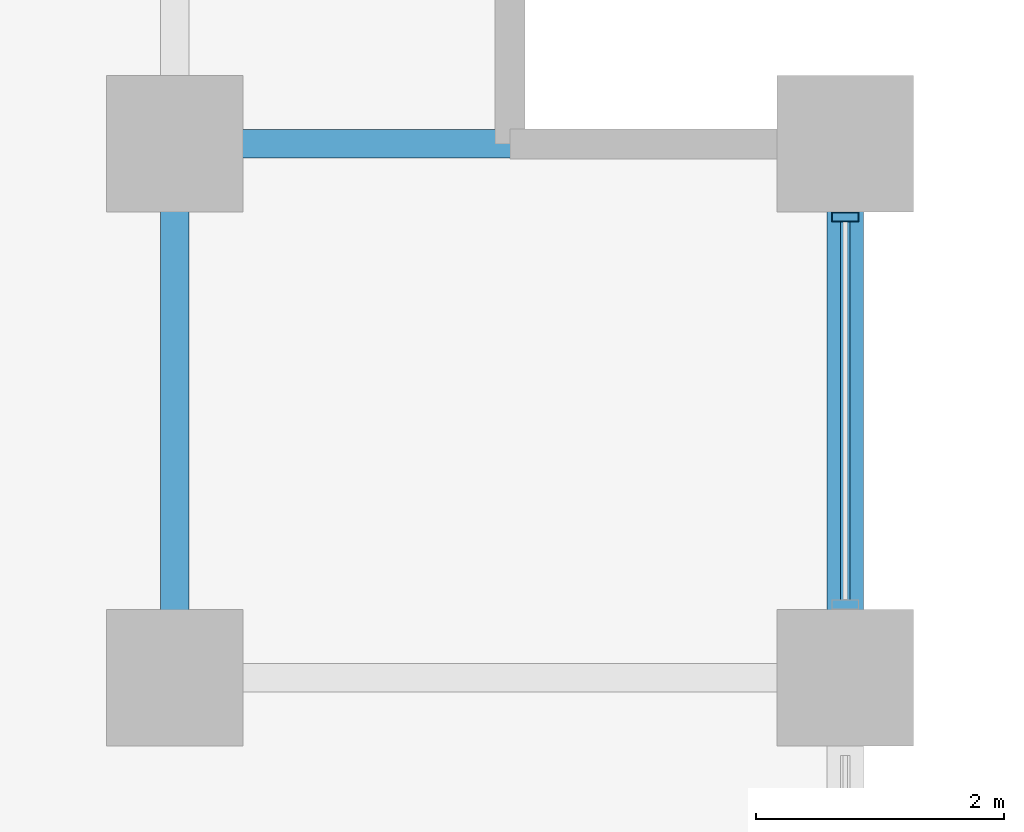
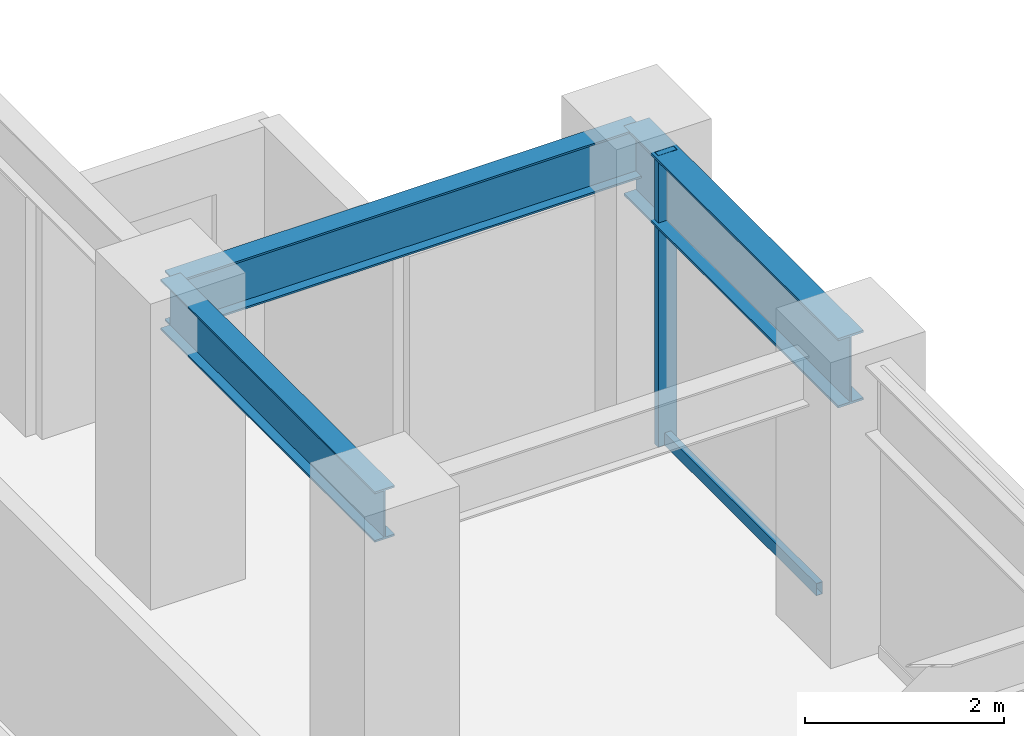
# One storey, part 17 of 26: 3 beams, 2 members, 1 element without a shape of its own.
"""IFC4 building model written with IfcOpenShell, lengths in metres."""

import ifcopenshell
import ifcopenshell.guid

model = None  # the IFC model being written
_history = None  # IfcOwnerHistory: only IFC2X3 demands one
_inside = {}  # id of a spatial element -> (the spatial element, [elements in it])
_under = {}  # id of a project, library or spatial element -> (it, [spatial elements below it])
_declared = {}  # id of a project -> (the project, [libraries it declares])
_typed = {}  # id of a type object -> (the type object, [elements of that type])
_made_of = {}  # id of a material, layer set ... -> (it, [elements and type objects made of it])


def new_model(schema):
    """Start an empty IFC model of exactly this schema.

    Asked for "IFC4X3", IfcOpenShell would pick the latest addendum, in which some entities
    have other attributes; the version numbers below select the first issue.
    IFC2X3 requires an IfcOwnerHistory on every rooted entity: one is made here for all.
    """
    global model, _history
    if schema == "IFC4X3":
        model = ifcopenshell.file(schema_version=(4, 3, 0, 0))
    else:
        model = ifcopenshell.file(schema=schema)
    _inside.clear()
    _under.clear()
    _declared.clear()
    _typed.clear()
    _made_of.clear()
    _history = None
    if model.schema == "IFC2X3":
        org = make("IfcOrganization", Name="unknown")
        user = make(
            "IfcPersonAndOrganization",
            ThePerson=make("IfcPerson", FamilyName="unknown"),
            TheOrganization=org,
        )
        app = make(
            "IfcApplication",
            ApplicationDeveloper=org,
            Version="unknown",
            ApplicationFullName="unknown",
            ApplicationIdentifier="unknown",
        )
        _history = make(
            "IfcOwnerHistory",
            OwningUser=user,
            OwningApplication=app,
            ChangeAction="ADDED",
            CreationDate=0,
        )
    return model


def make(cls, **values):
    """One entity of the class cls with the attributes given. An attribute that is None is left unset."""
    return model.create_entity(
        cls, **{name: value for name, value in values.items() if value is not None}
    )


def rooted(cls, **values):
    """An entity with a GlobalId (a new one), such as an element, a storey or a relation."""
    return make(cls, GlobalId=ifcopenshell.guid.new(), OwnerHistory=_history, **values)


def si_unit(unit_type, name, prefix=None):
    """IfcSIUnit, for example si_unit("LENGTHUNIT", "METRE", prefix="MILLI")."""
    return make("IfcSIUnit", UnitType=unit_type, Prefix=prefix, Name=name)


def assignment(units):
    """IfcUnitAssignment: the units of a project."""
    return None if units is None else make("IfcUnitAssignment", Units=units)


def point(xyz):
    """IfcCartesianPoint."""
    return None if xyz is None else make("IfcCartesianPoint", Coordinates=xyz)


def direction(xyz):
    """IfcDirection."""
    return None if xyz is None else make("IfcDirection", DirectionRatios=xyz)


def frame(location, z_axis=None, x_axis=None):
    """IfcAxis2Placement3D, a coordinate frame: its origin and axes. An axis left out is left unset."""
    return make(
        "IfcAxis2Placement3D",
        Location=point(location),
        Axis=direction(z_axis),
        RefDirection=direction(x_axis),
    )


def frame_2d(location, x_axis=None):
    """IfcAxis2Placement2D, a coordinate frame in the plane: its origin and x axis."""
    return make(
        "IfcAxis2Placement2D", Location=point(location), RefDirection=direction(x_axis)
    )


def origin():
    """The frame at (0, 0, 0) with its axes left unset."""
    return frame((0.0, 0.0, 0.0))


def origin_2d():
    """The frame at (0, 0) in the plane with its x axis left unset."""
    return frame_2d((0.0, 0.0))


def place(relative_to, where):
    """IfcLocalPlacement: puts the frame where relative to a parent placement (None: the world)."""
    return make(
        "IfcLocalPlacement", PlacementRelTo=relative_to, RelativePlacement=where
    )


def context(
    kind, dimensions, precision=None, world=None, true_north=None, identifier=None
):
    """IfcGeometricRepresentationContext, for example the 3D "Model" context."""
    return make(
        "IfcGeometricRepresentationContext",
        ContextIdentifier=identifier,
        ContextType=kind,
        CoordinateSpaceDimension=dimensions,
        Precision=precision,
        WorldCoordinateSystem=world,
        TrueNorth=true_north,
    )


def subcontext(parent, identifier, kind, view, scale=None):
    """IfcGeometricRepresentationSubContext, for example "Body" below "Model"."""
    return make(
        "IfcGeometricRepresentationSubContext",
        ContextIdentifier=identifier,
        ContextType=kind,
        ParentContext=parent,
        TargetScale=scale,
        TargetView=view,
    )


def project(units=None, contexts=None):
    """IfcProject with its units and contexts."""
    return rooted(
        "IfcProject",
        Name="project",
        RepresentationContexts=contexts,
        UnitsInContext=assignment(units),
    )


def spatial(cls, under=None, at=None, **own):
    """A site, building, storey or space (cls), placed at a placement, below another one or the project."""
    s = rooted(cls, ObjectPlacement=at, **own)
    if under is not None:
        _under.setdefault(under.id(), (under, []))[1].append(s)
    return s


def profile(cls, at=None, kind="AREA", **sizes):
    """A parametric profile (cls). Its sizes go by their IFC names, for example OverallWidth=200.0."""
    return make(cls, ProfileType=kind, Position=at, **sizes)


def hollow_rectangle(**sizes):
    """IfcRectangleHollowProfileDef."""
    return profile("IfcRectangleHollowProfileDef", **sizes)


def i_section(**sizes):
    """IfcIShapeProfileDef."""
    return profile("IfcIShapeProfileDef", **sizes)


def extrude(swept, where, along, depth):
    """IfcExtrudedAreaSolid: the profile swept, set in the frame where, extruded along a direction by depth."""
    return make(
        "IfcExtrudedAreaSolid",
        SweptArea=swept,
        Position=where,
        ExtrudedDirection=direction(along),
        Depth=depth,
    )


def shape(context_of_items, identifier, shape_type, items):
    """IfcShapeRepresentation: the items that make up one representation, for example the "Body"."""
    return make(
        "IfcShapeRepresentation",
        ContextOfItems=context_of_items,
        RepresentationIdentifier=identifier,
        RepresentationType=shape_type,
        Items=items,
    )


def material(Name=None, Category=None):
    """IfcMaterial."""
    return make("IfcMaterial", Name=Name, Category=Category)


def layer(
    of_material, thickness, ventilated=None, Name=None, Category=None, Priority=None
):
    """IfcMaterialLayer: one layer of a wall or slab, of a material (None: an air gap)."""
    return make(
        "IfcMaterialLayer",
        Material=of_material,
        LayerThickness=thickness,
        IsVentilated=ventilated,
        Name=Name,
        Category=Category,
        Priority=Priority,
    )


def layer_set(layers, Name=None):
    """IfcMaterialLayerSet."""
    return make("IfcMaterialLayerSet", MaterialLayers=layers, LayerSetName=Name)


def material_profile(
    of_material, cross_section, Name=None, Category=None, Priority=None
):
    """IfcMaterialProfile: a cross section and its material."""
    return make(
        "IfcMaterialProfile",
        Name=Name,
        Material=of_material,
        Profile=cross_section,
        Priority=Priority,
        Category=Category,
    )


def profile_set(profiles, Name=None, composite=None):
    """IfcMaterialProfileSet."""
    return make(
        "IfcMaterialProfileSet",
        Name=Name,
        MaterialProfiles=profiles,
        CompositeProfile=composite,
    )


def made_of(thing, what):
    """Note that an element or type object is made of a material, layer set ...; save() writes the relation."""
    if what is not None:
        _made_of.setdefault(what.id(), (what, []))[1].append(thing)
    return thing


def type_object(cls, material=None, **own):
    """A type object (cls), such as IfcWallType, which elements share."""
    return made_of(rooted(cls, **own), material)


def element(
    cls,
    number,
    at=None,
    inside=None,
    cuts=None,
    type_object=None,
    material=None,
    context=None,
    identifier="Body",
    shape_type=None,
    held_by="IfcProductDefinitionShape",
    body=None,
    shapes=None,
    **own,
):
    """One element of the class cls, such as IfcWall. Its Tag is "e" and its number.

    at: its placement. inside: the storey or other place that contains it. cuts: it is an
    opening in that element (IfcRelVoidsElement). A single representation is given by context,
    identifier, shape_type and body (its items); several are given by shapes. held_by: the class
    of the entity that holds the representations. save() writes the other relations.
    """
    e = rooted(cls, Tag="e%d" % number, ObjectPlacement=at, **own)
    if body is not None:
        shapes = [shape(context, identifier, shape_type, body)]
    if shapes is not None:
        e.Representation = make(held_by, Representations=shapes)
    if inside is not None:
        _inside.setdefault(inside.id(), (inside, []))[1].append(e)
    if cuts is not None:
        rooted(
            "IfcRelVoidsElement", RelatingBuildingElement=cuts, RelatedOpeningElement=e
        )
    if type_object is not None:
        _typed.setdefault(type_object.id(), (type_object, []))[1].append(e)
    return made_of(e, material)


def aggregate(whole, parts):
    """IfcRelAggregates: a whole, such as a stair, and the parts it consists of."""
    return rooted("IfcRelAggregates", RelatingObject=whole, RelatedObjects=parts)


def save(model, path):
    """Write the relations noted so far, then the file.

    IfcRelAggregates (storeys below a building ...), IfcRelContainedInSpatialStructure (elements
    in a storey), IfcRelDefinesByType, IfcRelAssociatesMaterial and IfcRelDeclares: one each for
    every whole, place, type object, material and project.
    """
    for whole, parts in _under.values():
        aggregate(whole, parts)
    for where, things in _inside.values():
        rooted(
            "IfcRelContainedInSpatialStructure",
            RelatedElements=things,
            RelatingStructure=where,
        )
    for kind, things in _typed.values():
        rooted("IfcRelDefinesByType", RelatedObjects=things, RelatingType=kind)
    for what, things in _made_of.values():
        rooted("IfcRelAssociatesMaterial", RelatedObjects=things, RelatingMaterial=what)
    for by, libraries in _declared.values():
        rooted("IfcRelDeclares", RelatingContext=by, RelatedDefinitions=libraries)
    model.write(path)


model = new_model("IFC4")

# Units and contexts
model_context = context("Model", 3, precision=1e-05, world=origin(), true_north=direction((0.0, 1.0)))
body_context = subcontext(model_context, "Body", "Model", "MODEL_VIEW")
ifc_project = project(units=[si_unit("LENGTHUNIT", "METRE"), si_unit("AREAUNIT", "SQUARE_METRE"), si_unit("VOLUMEUNIT", "CUBIC_METRE"), si_unit("PLANEANGLEUNIT", "RADIAN"), si_unit("MASSUNIT", "GRAM", prefix="KILO")], contexts=[model_context])

# Site, building, storey
site_placement = place(None, origin())
site = spatial("IfcSite", under=ifc_project, at=site_placement, CompositionType="ELEMENT")
building_placement = place(site_placement, origin())
building = spatial("IfcBuilding", under=site, at=building_placement, Name="Surkhivell Harbour Commons", CompositionType="ELEMENT")
storey_placement = place(building_placement, frame((0.0, 0.0, 102.0)))
storey = spatial("IfcBuildingStorey", under=building, at=storey_placement, Name="L26", CompositionType="ELEMENT", Elevation=102.0)

# Beams
ifc_material_1 = material(Name="Steel S355", Category="steel")
ifc_material_profile_1 = material_profile(ifc_material_1, i_section(OverallWidth=0.22998046875, OverallDepth=0.616943359375, WebThickness=0.01318359375, FlangeThickness=0.022216796875, at=origin_2d()), Name="UB610x229x140")
ifc_profile_set_1 = profile_set([ifc_material_profile_1], Name="Steel S355")
beam_type_1 = type_object("IfcBeamType", Name="BM-GRD-610B", PredefinedType="BEAM", material=ifc_profile_set_1)
beam_1_placement = place(storey_placement, frame((16.199951171875, 16.199951171875, 3.261474609375), z_axis=(0.0, 1.0, 0.0), x_axis=(-1.0, 0.0, 0.0)))
element("IfcBeam", 1, at=beam_1_placement, inside=storey, type_object=beam_type_1, Name="L26 Floor Girder (16.2,16.2)", PredefinedType="BEAM", context=body_context, shape_type="SweptSolid", body=[
    extrude(i_section(OverallWidth=0.22998046875, OverallDepth=0.616943359375, WebThickness=0.01318359375, FlangeThickness=0.022216796875, at=origin_2d()), origin(), (0.0, 0.0, 1.0), 4.300048828125),
])
beam_2_placement = place(storey_placement, frame((16.199951171875, 20.5, 3.261474609375), z_axis=(1.0, 0.0, 0.0), x_axis=(0.0, 1.0, 0.0)))
element("IfcBeam", 2, at=beam_2_placement, inside=storey, type_object=beam_type_1, Name="L26 Floor Girder (16.2,20.5)", PredefinedType="BEAM", context=body_context, shape_type="SweptSolid", body=[
    extrude(i_section(OverallWidth=0.22998046875, OverallDepth=0.616943359375, WebThickness=0.01318359375, FlangeThickness=0.022216796875, at=origin_2d()), origin(), (0.0, 0.0, 1.0), 5.400146484375),
])
ifc_material_2 = material(Name="Steel S460", Category="steel")
ifc_material_profile_2 = material_profile(ifc_material_2, i_section(OverallWidth=0.2939453125, OverallDepth=0.85107421875, WebThickness=0.01611328125, FlangeThickness=0.02685546875, at=origin_2d()), Name="UB838x292x226")
ifc_profile_set_2 = profile_set([ifc_material_profile_2], Name="Steel S460")
beam_type_2 = type_object("IfcBeamType", Name="BM-SPN-838", PredefinedType="SPANDREL", material=ifc_profile_set_2)
beam_3_placement = place(storey_placement, frame((21.60009765625, 16.199951171875, 3.14453125), z_axis=(0.0, 1.0, 0.0), x_axis=(-1.0, 0.0, 0.0)))
element("IfcBeam", 3, at=beam_3_placement, inside=storey, type_object=beam_type_2, Name="L26 Tube Spandrel (21.6,16.2)", PredefinedType="SPANDREL", context=body_context, shape_type="SweptSolid", body=[
    extrude(i_section(OverallWidth=0.2939453125, OverallDepth=0.85107421875, WebThickness=0.01611328125, FlangeThickness=0.02685546875, at=origin_2d()), origin(), (0.0, 0.0, 1.0), 4.300048828125),
])

# Curtain wall, members
ifc_material_3 = material(Name="Anodised pale-metal aluminium and insulated glazing", Category="aluminium")
ifc_layer = layer(ifc_material_3, 0.205078125)
ifc_layer_set = layer_set([ifc_layer], Name="Anodised pale-metal aluminium and insulated glazing")
curtain_wall_type = type_object("IfcCurtainWallType", Name="CW-SYS-Z2", PredefinedType="NOTDEFINED", material=ifc_layer_set)
curtain_wall_placement = place(storey_placement, origin())
curtain_wall = element("IfcCurtainWall", 4, at=curtain_wall_placement, inside=storey, type_object=curtain_wall_type, Name="L26 Curtain Wall CW-L26-E02R2", PredefinedType="NOTDEFINED")
ifc_material_4 = material(Name="Anodised pale-metal aluminium alloy 6063-T6", Category="aluminium")
ifc_material_profile_3 = material_profile(ifc_material_4, hollow_rectangle(XDim=0.074951171875, YDim=0.219970703125, WallThickness=0.00390625, at=origin_2d()), Name="ALU-MULL-75x220")
ifc_profile_set_3 = profile_set([ifc_material_profile_3], Name="Anodised pale-metal aluminium alloy 6063-T6")
member_type_1 = type_object("IfcMemberType", Name="CWM-220", PredefinedType="MULLION", material=ifc_profile_set_3)
member_1_placement = place(storey_placement, frame((21.60009765625, 19.910400390625, 0.0), z_axis=(0.0, 0.0, 1.0), x_axis=(0.0, 1.0, 0.0)))
member_1 = element("IfcMember", 5, at=member_1_placement, type_object=member_type_1, Name="CW-Z2 mullion 3", PredefinedType="MULLION", context=body_context, shape_type="SweptSolid", body=[
    extrude(hollow_rectangle(XDim=0.074951171875, YDim=0.219970703125, WallThickness=0.00390625, at=origin_2d()), origin(), (0.0, 0.0, 1.0), 3.570068359375),
])
ifc_material_profile_4 = material_profile(ifc_material_4, hollow_rectangle(XDim=0.074951171875, YDim=0.14990234375, WallThickness=0.00341796875, at=origin_2d()), Name="ALU-TRAN-75x150")
ifc_profile_set_4 = profile_set([ifc_material_profile_4], Name="Anodised pale-metal aluminium alloy 6063-T6")
member_type_2 = type_object("IfcMemberType", Name="CWT-150", PredefinedType="USERDEFINED", material=ifc_profile_set_4)
member_2_placement = place(storey_placement, frame((21.60009765625, 16.826904296875, 0.074951171875), z_axis=(0.0, 1.0, 0.0), x_axis=(-1.0, 0.0, 0.0)))
member_2 = element("IfcMember", 6, at=member_2_placement, type_object=member_type_2, Name="CW-Z2 transom 2.1", ObjectType="TRANSOM", PredefinedType="USERDEFINED", context=body_context, shape_type="SweptSolid", body=[
    extrude(hollow_rectangle(XDim=0.074951171875, YDim=0.14990234375, WallThickness=0.00341796875, at=origin_2d()), origin(), (0.0, 0.0, 1.0), 3.046142578125),
])
aggregate(curtain_wall, [member_1, member_2])

save(model, "model.ifc")
